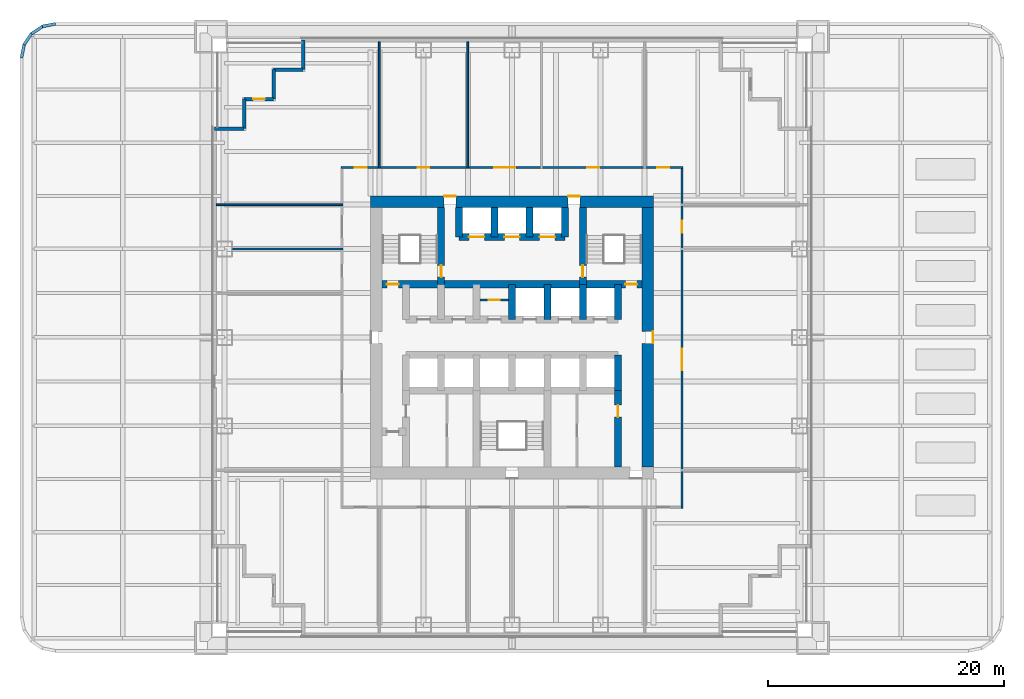
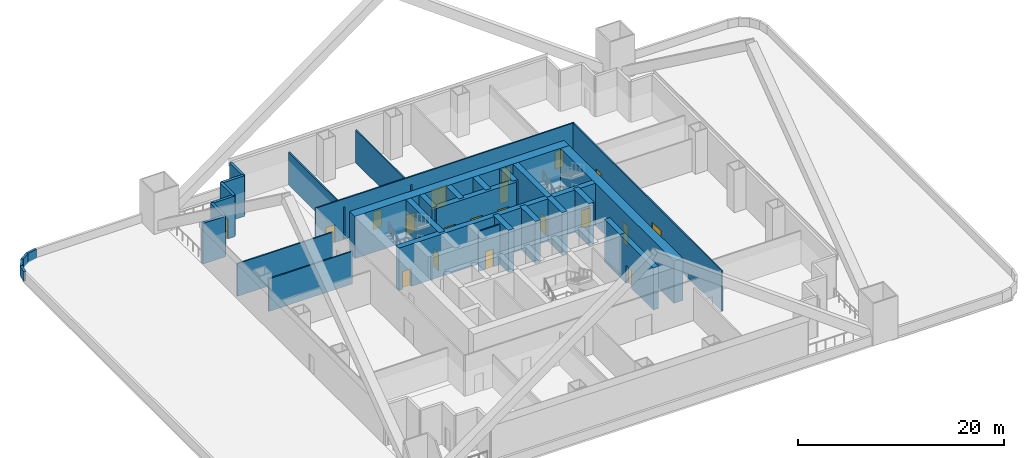
# One storey, part 6 of 10: 33 walls, 20 doors, 20 openings.
"""IFC4 building model written with IfcOpenShell, lengths in metres."""

from ifc_helpers import new_model, si_unit, direction, frame, frame_2d, origin, place, context, subcontext, project, spatial, rectangle, extrude, material, layer, layer_set, type_object, element, fill, save


model = new_model("IFC4")

# Units and contexts
model_context = context("Model", 3, precision=1e-05, world=origin(), true_north=direction((0.0, 1.0)))
body_context = subcontext(model_context, "Body", "Model", "MODEL_VIEW")
ifc_project = project(units=[si_unit("LENGTHUNIT", "METRE"), si_unit("AREAUNIT", "SQUARE_METRE"), si_unit("VOLUMEUNIT", "CUBIC_METRE"), si_unit("PLANEANGLEUNIT", "RADIAN"), si_unit("MASSUNIT", "GRAM", prefix="KILO")], contexts=[model_context])

# Site, building, storey
site_placement = place(None, origin())
site = spatial("IfcSite", under=ifc_project, at=site_placement, CompositionType="ELEMENT")
building_placement = place(site_placement, origin())
building = spatial("IfcBuilding", under=site, at=building_placement, Name="Tarangal Relay Tower", CompositionType="ELEMENT")
storey_placement = place(building_placement, frame((0.0, 0.0, 23.39990234375)))
storey = spatial("IfcBuildingStorey", under=building, at=storey_placement, Name="L04", CompositionType="ELEMENT", Elevation=23.39990234375)

# Wall, openings, doors
ifc_material_1 = material(Name="Concrete fc' 60 MPa", Category="concrete")
ifc_layer_1 = layer(ifc_material_1, 0.60009765625)
ifc_layer_set_1 = layer_set([ifc_layer_1], Name="Core inner wall 600")
wall_type_1 = type_object("IfcWallType", Name="Core inner wall 600", PredefinedType="SHEAR", material=ifc_layer_set_1)
wall_1_placement = place(storey_placement, frame((-11.0, 4.5, 0.0), z_axis=(0.0, 0.0, 1.0), x_axis=(1.0, 0.0, 0.0)))
wall_1 = element("IfcWall", 1, at=wall_1_placement, inside=storey, type_object=wall_type_1, Name="Core wall Y45 L04", PredefinedType="SHEAR", context=body_context, shape_type="SweptSolid", body=[
    extrude(rectangle(XDim=22.0, YDim=0.60009765625, at=frame_2d((11.0, 0.0))), origin(), (0.0, 0.0, 1.0), 5.0),
])
opening_1_placement = place(wall_1_placement, frame((0.39990234375, 0.0, 0.0)))
opening_1 = element("IfcOpeningElement", 2, at=opening_1_placement, cuts=wall_1, Name="Opening FD1", PredefinedType="OPENING", context=body_context, shape_type="SweptSolid", body=[
    extrude(rectangle(XDim=1.0, YDim=2.10009765625, at=frame_2d((0.5, 1.050048828125))), frame((0.0, 0.31005859375, 0.0), z_axis=(0.0, -1.0, 0.0), x_axis=(1.0, 0.0, 0.0)), (0.0, 0.0, 1.0), 0.6201171875),
])
opening_2_placement = place(wall_1_placement, frame((20.60009765625, 0.0, 0.0)))
opening_2 = element("IfcOpeningElement", 3, at=opening_2_placement, cuts=wall_1, Name="Opening FD1", PredefinedType="OPENING", context=body_context, shape_type="SweptSolid", body=[
    extrude(rectangle(XDim=1.0, YDim=2.10009765625, at=frame_2d((0.5, 1.050048828125))), frame((0.0, 0.31005859375, 0.0), z_axis=(0.0, -1.0, 0.0), x_axis=(1.0, 0.0, 0.0)), (0.0, 0.0, 1.0), 0.6201171875),
])
ifc_material_2 = material(Name="Steel door with hardwood frame", Category="steel")
door_type_1 = type_object("IfcDoorType", Name="Fire door 1000 x 2100", OperationType="SINGLE_SWING_LEFT", PredefinedType="DOOR", material=ifc_material_2)
door_1_placement = place(opening_1_placement, origin())
door_1 = element("IfcDoor", 4, at=door_1_placement, inside=storey, type_object=door_type_1, Name="Stair ST-A door from corridor L04", OperationType="SINGLE_SWING_LEFT", OverallHeight=2.10009765625, OverallWidth=1.0, PredefinedType="DOOR", context=body_context, shape_type="SweptSolid", body=[
    extrude(rectangle(XDim=1.0, YDim=2.10009765625, at=frame_2d((0.5, 1.050048828125))), frame((0.0, 0.02490234375, 0.0), z_axis=(0.0, -1.0, 0.0), x_axis=(1.0, 0.0, 0.0)), (0.0, 0.0, 1.0), 0.050048828125),
])
fill(opening_1, door_1)
door_2_placement = place(opening_2_placement, origin())
door_2 = element("IfcDoor", 5, at=door_2_placement, inside=storey, type_object=door_type_1, Name="Stair ST-B door from corridor L04", OperationType="SINGLE_SWING_LEFT", OverallHeight=2.10009765625, OverallWidth=1.0, PredefinedType="DOOR", context=body_context, shape_type="SweptSolid", body=[
    extrude(rectangle(XDim=1.0, YDim=2.10009765625, at=frame_2d((0.5, 1.050048828125))), frame((0.0, 0.02490234375, 0.0), z_axis=(0.0, -1.0, 0.0), x_axis=(1.0, 0.0, 0.0)), (0.0, 0.0, 1.0), 0.050048828125),
])
fill(opening_2, door_2)

wall_2_placement = place(storey_placement, frame((-4.5, 8.5, 0.0), z_axis=(0.0, 0.0, 1.0), x_axis=(1.0, 0.0, 0.0)))
wall_2 = element("IfcWall", 6, at=wall_2_placement, inside=storey, type_object=wall_type_1, Name="Core wall Y85 L04", PredefinedType="SHEAR", context=body_context, shape_type="SweptSolid", body=[
    extrude(rectangle(XDim=9.0, YDim=0.60009765625, at=frame_2d((4.5, 0.0))), origin(), (0.0, 0.0, 1.0), 5.0),
])
opening_3_placement = place(wall_2_placement, frame((0.85009765625, 0.0, 0.0)))
opening_3 = element("IfcOpeningElement", 7, at=opening_3_placement, cuts=wall_2, Name="Opening LD2", PredefinedType="OPENING", context=body_context, shape_type="SweptSolid", body=[
    extrude(rectangle(XDim=1.300048828125, YDim=2.39990234375, at=frame_2d((0.64990234375, 1.199951171875))), frame((0.0, 0.31005859375, 0.0), z_axis=(0.0, -1.0, 0.0), x_axis=(1.0, 0.0, 0.0)), (0.0, 0.0, 1.0), 0.6201171875),
])
opening_4_placement = place(wall_2_placement, frame((6.85009765625, 0.0, 0.0)))
opening_4 = element("IfcOpeningElement", 8, at=opening_4_placement, cuts=wall_2, Name="Opening LD2", PredefinedType="OPENING", context=body_context, shape_type="SweptSolid", body=[
    extrude(rectangle(XDim=1.300048828125, YDim=2.39990234375, at=frame_2d((0.64990234375, 1.199951171875))), frame((0.0, 0.31005859375, 0.0), z_axis=(0.0, -1.0, 0.0), x_axis=(1.0, 0.0, 0.0)), (0.0, 0.0, 1.0), 0.6201171875),
])
opening_5_placement = place(wall_2_placement, frame((3.85009765625, 0.0, 0.0)))
opening_5 = element("IfcOpeningElement", 9, at=opening_5_placement, cuts=wall_2, Name="Opening LD2", PredefinedType="OPENING", context=body_context, shape_type="SweptSolid", body=[
    extrude(rectangle(XDim=1.300048828125, YDim=2.39990234375, at=frame_2d((0.64990234375, 1.199951171875))), frame((0.0, 0.31005859375, 0.0), z_axis=(0.0, -1.0, 0.0), x_axis=(1.0, 0.0, 0.0)), (0.0, 0.0, 1.0), 0.6201171875),
])
door_type_2 = type_object("IfcDoorType", Name="Lift landing door 1300 x 2400", OperationType="SLIDING_TO_LEFT", PredefinedType="DOOR", material=ifc_material_2)
door_3_placement = place(opening_3_placement, origin())
door_3 = element("IfcDoor", 10, at=door_3_placement, inside=storey, type_object=door_type_2, Name="Lift FF1 landing door L04", OperationType="SLIDING_TO_LEFT", OverallHeight=2.39990234375, OverallWidth=1.300048828125, PredefinedType="DOOR", context=body_context, shape_type="SweptSolid", body=[
    extrude(rectangle(XDim=1.300048828125, YDim=2.39990234375, at=frame_2d((0.64990234375, 1.199951171875))), frame((0.0, 0.02490234375, 0.0), z_axis=(0.0, -1.0, 0.0), x_axis=(1.0, 0.0, 0.0)), (0.0, 0.0, 1.0), 0.050048828125),
])
fill(opening_3, door_3)
door_4_placement = place(opening_4_placement, origin())
door_4 = element("IfcDoor", 11, at=door_4_placement, inside=storey, type_object=door_type_2, Name="Lift FF2 landing door L04", OperationType="SLIDING_TO_LEFT", OverallHeight=2.39990234375, OverallWidth=1.300048828125, PredefinedType="DOOR", context=body_context, shape_type="SweptSolid", body=[
    extrude(rectangle(XDim=1.300048828125, YDim=2.39990234375, at=frame_2d((0.64990234375, 1.199951171875))), frame((0.0, 0.02490234375, 0.0), z_axis=(0.0, -1.0, 0.0), x_axis=(1.0, 0.0, 0.0)), (0.0, 0.0, 1.0), 0.050048828125),
])
fill(opening_4, door_4)
door_5_placement = place(opening_5_placement, origin())
door_5 = element("IfcDoor", 12, at=door_5_placement, inside=storey, type_object=door_type_2, Name="Lift SV1 landing door L04", OperationType="SLIDING_TO_LEFT", OverallHeight=2.39990234375, OverallWidth=1.300048828125, PredefinedType="DOOR", context=body_context, shape_type="SweptSolid", body=[
    extrude(rectangle(XDim=1.300048828125, YDim=2.39990234375, at=frame_2d((0.64990234375, 1.199951171875))), frame((0.0, 0.02490234375, 0.0), z_axis=(0.0, -1.0, 0.0), x_axis=(1.0, 0.0, 0.0)), (0.0, 0.0, 1.0), 0.050048828125),
])
fill(opening_5, door_5)

# Walls
for number, where, z_axis, x_axis, name in (
    (13, (9.0, 1.5, 0.0), (0.0, 0.0, 1.0), (0.0, 1.0, 0.0), "Core wall X9N L04"),
    (14, (9.0, -4.5, 0.0), (0.0, 0.0, 1.0), (0.0, 1.0, 0.0), "Core wall X9S L04"),
    (15, (0.0, 1.5, 0.0), (0.0, 0.0, 1.0), (0.0, 1.0, 0.0), "Core wall X0N L04"),
    (16, (3.0, 1.5, 0.0), (0.0, 0.0, 1.0), (0.0, 1.0, 0.0), "Core wall X3N L04"),
    (17, (6.0, 1.5, 0.0), (0.0, 0.0, 1.0), (0.0, 1.0, 0.0), "Core wall X6N L04"),
):
    element("IfcWall", number, at=place(storey_placement, frame(where, z_axis=z_axis, x_axis=x_axis)), inside=storey, type_object=wall_type_1, Name=name, PredefinedType="SHEAR", context=body_context, shape_type="SweptSolid", body=[
        extrude(rectangle(XDim=3.0, YDim=0.60009765625, at=frame_2d((1.5, 0.0))), origin(), (0.0, 0.0, 1.0), 5.0),
    ])

# Wall, opening, door
wall_3_placement = place(storey_placement, frame((-6.0, 4.5, 0.0), z_axis=(0.0, 0.0, 1.0), x_axis=(0.0, 1.0, 0.0)))
wall_3 = element("IfcWall", 18, at=wall_3_placement, inside=storey, type_object=wall_type_1, Name="Core wall XM6 L04", PredefinedType="SHEAR", context=body_context, shape_type="SweptSolid", body=[
    extrude(rectangle(XDim=6.5, YDim=0.60009765625, at=frame_2d((3.25, 0.0))), origin(), (0.0, 0.0, 1.0), 5.0),
])
opening_6_placement = place(wall_3_placement, frame((0.60009765625, 0.0, 0.0)))
opening_6 = element("IfcOpeningElement", 19, at=opening_6_placement, cuts=wall_3, Name="Opening FD1", PredefinedType="OPENING", context=body_context, shape_type="SweptSolid", body=[
    extrude(rectangle(XDim=1.0, YDim=2.10009765625, at=frame_2d((0.5, 1.050048828125))), frame((0.0, 0.31005859375, 0.0), z_axis=(0.0, -1.0, 0.0), x_axis=(1.0, 0.0, 0.0)), (0.0, 0.0, 1.0), 0.6201171875),
])
door_6_placement = place(opening_6_placement, origin())
door_6 = element("IfcDoor", 20, at=door_6_placement, inside=storey, type_object=door_type_1, Name="Stair ST-A door from fire-fighting lobby L04", OperationType="SINGLE_SWING_LEFT", OverallHeight=2.10009765625, OverallWidth=1.0, PredefinedType="DOOR", context=body_context, shape_type="SweptSolid", body=[
    extrude(rectangle(XDim=1.0, YDim=2.10009765625, at=frame_2d((0.5, 1.050048828125))), frame((0.0, 0.02490234375, 0.0), z_axis=(0.0, -1.0, 0.0), x_axis=(1.0, 0.0, 0.0)), (0.0, 0.0, 1.0), 0.050048828125),
])
fill(opening_6, door_6)

wall_4_placement = place(storey_placement, frame((6.0, 4.5, 0.0), z_axis=(0.0, 0.0, 1.0), x_axis=(0.0, 1.0, 0.0)))
wall_4 = element("IfcWall", 21, at=wall_4_placement, inside=storey, type_object=wall_type_1, Name="Core wall X6 L04", PredefinedType="SHEAR", context=body_context, shape_type="SweptSolid", body=[
    extrude(rectangle(XDim=6.5, YDim=0.60009765625, at=frame_2d((3.25, 0.0))), origin(), (0.0, 0.0, 1.0), 5.0),
])
opening_7_placement = place(wall_4_placement, frame((0.60009765625, 0.0, 0.0)))
opening_7 = element("IfcOpeningElement", 22, at=opening_7_placement, cuts=wall_4, Name="Opening FD1", PredefinedType="OPENING", context=body_context, shape_type="SweptSolid", body=[
    extrude(rectangle(XDim=1.0, YDim=2.10009765625, at=frame_2d((0.5, 1.050048828125))), frame((0.0, 0.31005859375, 0.0), z_axis=(0.0, -1.0, 0.0), x_axis=(1.0, 0.0, 0.0)), (0.0, 0.0, 1.0), 0.6201171875),
])
door_7_placement = place(opening_7_placement, origin())
door_7 = element("IfcDoor", 23, at=door_7_placement, inside=storey, type_object=door_type_1, Name="Stair ST-B door from fire-fighting lobby L04", OperationType="SINGLE_SWING_LEFT", OverallHeight=2.10009765625, OverallWidth=1.0, PredefinedType="DOOR", context=body_context, shape_type="SweptSolid", body=[
    extrude(rectangle(XDim=1.0, YDim=2.10009765625, at=frame_2d((0.5, 1.050048828125))), frame((0.0, 0.02490234375, 0.0), z_axis=(0.0, -1.0, 0.0), x_axis=(1.0, 0.0, 0.0)), (0.0, 0.0, 1.0), 0.050048828125),
])
fill(opening_7, door_7)

# Walls
for number, where, z_axis, x_axis, name in (
    (24, (-4.5, 8.5, 0.0), (0.0, 0.0, 1.0), (0.0, 1.0, 0.0), "Core wall XM45 L04"),
    (25, (4.5, 8.5, 0.0), (0.0, 0.0, 1.0), (0.0, 1.0, 0.0), "Core wall X45 L04"),
    (26, (-1.5, 8.5, 0.0), (0.0, 0.0, 1.0), (0.0, 1.0, 0.0), "Core wall XM15 L04"),
    (27, (1.5, 8.5, 0.0), (0.0, 0.0, 1.0), (0.0, 1.0, 0.0), "Core wall X15 L04"),
):
    element("IfcWall", number, at=place(storey_placement, frame(where, z_axis=z_axis, x_axis=x_axis)), inside=storey, type_object=wall_type_1, Name=name, PredefinedType="SHEAR", context=body_context, shape_type="SweptSolid", body=[
        extrude(rectangle(XDim=2.5, YDim=0.60009765625, at=frame_2d((1.25, 0.0))), origin(), (0.0, 0.0, 1.0), 5.0),
    ])

# Wall, opening, door
wall_5_placement = place(storey_placement, frame((9.0, -11.0, 0.0), z_axis=(0.0, 0.0, 1.0), x_axis=(0.0, 1.0, 0.0)))
wall_5 = element("IfcWall", 28, at=wall_5_placement, inside=storey, type_object=wall_type_1, Name="Core wall X9W L04", PredefinedType="SHEAR", context=body_context, shape_type="SweptSolid", body=[
    extrude(rectangle(XDim=6.5, YDim=0.60009765625, at=frame_2d((3.25, 0.0))), origin(), (0.0, 0.0, 1.0), 5.0),
])
opening_8_placement = place(wall_5_placement, frame((4.25, 0.0, 0.0)))
opening_8 = element("IfcOpeningElement", 29, at=opening_8_placement, cuts=wall_5, Name="Opening D1", PredefinedType="OPENING", context=body_context, shape_type="SweptSolid", body=[
    extrude(rectangle(XDim=1.0, YDim=2.10009765625, at=frame_2d((0.5, 1.050048828125))), frame((0.0, 0.31005859375, 0.0), z_axis=(0.0, -1.0, 0.0), x_axis=(1.0, 0.0, 0.0)), (0.0, 0.0, 1.0), 0.6201171875),
])
ifc_material_3 = material(Name="Hardwood door", Category="wood")
door_type_3 = type_object("IfcDoorType", Name="WC door 1000 x 2100", OperationType="SINGLE_SWING_LEFT", PredefinedType="DOOR", material=ifc_material_3)
door_8_placement = place(opening_8_placement, origin())
door_8 = element("IfcDoor", 30, at=door_8_placement, inside=storey, type_object=door_type_3, Name="Female WC door L04", OperationType="SINGLE_SWING_LEFT", OverallHeight=2.10009765625, OverallWidth=1.0, PredefinedType="DOOR", context=body_context, shape_type="SweptSolid", body=[
    extrude(rectangle(XDim=1.0, YDim=2.10009765625, at=frame_2d((0.5, 1.050048828125))), frame((0.0, 0.02490234375, 0.0), z_axis=(0.0, -1.0, 0.0), x_axis=(1.0, 0.0, 0.0)), (0.0, 0.0, 1.0), 0.050048828125),
])
fill(opening_8, door_8)

# Wall, openings, doors
ifc_layer_2 = layer(ifc_material_1, 1.0)
ifc_layer_set_2 = layer_set([ifc_layer_2], Name="Core wall 1000")
wall_type_2 = type_object("IfcWallType", Name="Core wall 1000", PredefinedType="SHEAR", material=ifc_layer_set_2)
wall_6_placement = place(storey_placement, frame((-12.0, 11.5, 0.0), z_axis=(0.0, 0.0, 1.0), x_axis=(1.0, 0.0, 0.0)))
wall_6 = element("IfcWall", 31, at=wall_6_placement, inside=storey, type_object=wall_type_2, Name="Core wall N L04", PredefinedType="SHEAR", context=body_context, shape_type="SweptSolid", body=[
    extrude(rectangle(XDim=24.0, YDim=1.0, at=frame_2d((12.0, 0.0))), origin(), (0.0, 0.0, 1.0), 5.0),
])
opening_9_placement = place(wall_6_placement, frame((6.25, 0.0, 0.0)))
opening_9 = element("IfcOpeningElement", 32, at=opening_9_placement, cuts=wall_6, Name="Opening FD3", PredefinedType="OPENING", context=body_context, shape_type="SweptSolid", body=[
    extrude(rectangle(XDim=1.0, YDim=2.39990234375, at=frame_2d((0.5, 1.199951171875))), frame((0.0, 0.510009765625, 0.0), z_axis=(0.0, -1.0, 0.0), x_axis=(1.0, 0.0, 0.0)), (0.0, 0.0, 1.0), 1.02001953125),
])
opening_10_placement = place(wall_6_placement, frame((16.75, 0.0, 0.0)))
opening_10 = element("IfcOpeningElement", 33, at=opening_10_placement, cuts=wall_6, Name="Opening FD3", PredefinedType="OPENING", context=body_context, shape_type="SweptSolid", body=[
    extrude(rectangle(XDim=1.0, YDim=2.39990234375, at=frame_2d((0.5, 1.199951171875))), frame((0.0, 0.510009765625, 0.0), z_axis=(0.0, -1.0, 0.0), x_axis=(1.0, 0.0, 0.0)), (0.0, 0.0, 1.0), 1.02001953125),
])
door_type_4 = type_object("IfcDoorType", Name="Fire door 1000 x 2400 core entry", OperationType="SINGLE_SWING_RIGHT", PredefinedType="DOOR", material=ifc_material_2)
door_9_placement = place(opening_9_placement, origin())
door_9 = element("IfcDoor", 34, at=door_9_placement, inside=storey, type_object=door_type_4, Name="Core entry door north west L04", OperationType="SINGLE_SWING_RIGHT", OverallHeight=2.39990234375, OverallWidth=1.0, PredefinedType="DOOR", context=body_context, shape_type="SweptSolid", body=[
    extrude(rectangle(XDim=1.0, YDim=2.39990234375, at=frame_2d((0.5, 1.199951171875))), frame((0.0, 0.48486328125, 0.0), z_axis=(0.0, -1.0, 0.0), x_axis=(1.0, 0.0, 0.0)), (0.0, 0.0, 1.0), 0.050048828125),
])
fill(opening_9, door_9)
door_10_placement = place(opening_10_placement, origin())
door_10 = element("IfcDoor", 35, at=door_10_placement, inside=storey, type_object=door_type_4, Name="Core entry door north east L04", OperationType="SINGLE_SWING_RIGHT", OverallHeight=2.39990234375, OverallWidth=1.0, PredefinedType="DOOR", context=body_context, shape_type="SweptSolid", body=[
    extrude(rectangle(XDim=1.0, YDim=2.39990234375, at=frame_2d((0.5, 1.199951171875))), frame((0.0, 0.48486328125, 0.0), z_axis=(0.0, -1.0, 0.0), x_axis=(1.0, 0.0, 0.0)), (0.0, 0.0, 1.0), 0.050048828125),
])
fill(opening_10, door_10)

# Wall, opening, door
wall_7_placement = place(storey_placement, frame((11.5, 11.0, 0.0), z_axis=(0.0, 0.0, 1.0), x_axis=(0.0, -1.0, 0.0)))
wall_7 = element("IfcWall", 36, at=wall_7_placement, inside=storey, type_object=wall_type_2, Name="Core wall E L04", PredefinedType="SHEAR", context=body_context, shape_type="SweptSolid", body=[
    extrude(rectangle(XDim=22.0, YDim=1.0, at=frame_2d((11.0, 0.0))), origin(), (0.0, 0.0, 1.0), 5.0),
])
opening_11_placement = place(wall_7_placement, frame((10.5, 0.0, 0.0)))
opening_11 = element("IfcOpeningElement", 37, at=opening_11_placement, cuts=wall_7, Name="Opening FD3", PredefinedType="OPENING", context=body_context, shape_type="SweptSolid", body=[
    extrude(rectangle(XDim=1.0, YDim=2.39990234375, at=frame_2d((0.5, 1.199951171875))), frame((0.0, 0.510009765625, 0.0), z_axis=(0.0, -1.0, 0.0), x_axis=(1.0, 0.0, 0.0)), (0.0, 0.0, 1.0), 1.02001953125),
])
door_11_placement = place(opening_11_placement, origin())
door_11 = element("IfcDoor", 38, at=door_11_placement, inside=storey, type_object=door_type_4, Name="Core entry door east L04", OperationType="SINGLE_SWING_RIGHT", OverallHeight=2.39990234375, OverallWidth=1.0, PredefinedType="DOOR", context=body_context, shape_type="SweptSolid", body=[
    extrude(rectangle(XDim=1.0, YDim=2.39990234375, at=frame_2d((0.5, 1.199951171875))), frame((0.0, 0.48486328125, 0.0), z_axis=(0.0, -1.0, 0.0), x_axis=(1.0, 0.0, 0.0)), (0.0, 0.0, 1.0), 0.050048828125),
])
fill(opening_11, door_11)

# Walls
ifc_material_4 = material(Name="Insulated precast concrete fc' 40 MPa", Category="concrete")
ifc_layer_3 = layer(ifc_material_4, 0.300048828125)
ifc_layer_set_3 = layer_set([ifc_layer_3], Name="Insulated precast concrete fc' 40 MPa")
wall_type_3 = type_object("IfcWallType", Name="Facade wall precast 300", PredefinedType="SOLIDWALL", material=ifc_layer_set_3)
for number, where, z_axis, x_axis, name in (
    (39, (-25.199951171875, 17.699951171875, 0.0), (0.0, 0.0, 1.0), (1.0, 0.0, 0.0), "Facade wall W facade L04"),
    (40, (-22.699951171875, 17.699951171875, 0.0), (0.0, 0.0, 1.0), (0.0, 1.0, 0.0), "Facade wall W facade L04"),
):
    element("IfcWall", number, at=place(storey_placement, frame(where, z_axis=z_axis, x_axis=x_axis)), inside=storey, type_object=wall_type_3, Name=name, PredefinedType="SOLIDWALL", context=body_context, shape_type="SweptSolid", body=[
        extrude(rectangle(XDim=2.5, YDim=0.300048828125, at=frame_2d((1.25, 0.0))), origin(), (0.0, 0.0, 1.0), 4.800048828125),
    ])

# Wall, opening, door
wall_8_placement = place(storey_placement, frame((-22.699951171875, 20.199951171875, 0.0), z_axis=(0.0, 0.0, 1.0), x_axis=(1.0, 0.0, 0.0)))
wall_8 = element("IfcWall", 41, at=wall_8_placement, inside=storey, type_object=wall_type_3, Name="Facade wall W facade L04", PredefinedType="SOLIDWALL", context=body_context, shape_type="SweptSolid", body=[
    extrude(rectangle(XDim=2.5, YDim=0.300048828125, at=frame_2d((1.25, 0.0))), origin(), (0.0, 0.0, 1.0), 4.800048828125),
])
opening_12_placement = place(wall_8_placement, frame((0.75, 0.0, 0.0)))
opening_12 = element("IfcOpeningElement", 42, at=opening_12_placement, cuts=wall_8, Name="Opening TD1", PredefinedType="OPENING", context=body_context, shape_type="SweptSolid", body=[
    extrude(rectangle(XDim=1.0, YDim=2.39990234375, at=frame_2d((0.5, 1.199951171875))), frame((0.0, 0.159912109375, 0.0), z_axis=(0.0, -1.0, 0.0), x_axis=(1.0, 0.0, 0.0)), (0.0, 0.0, 1.0), 0.320068359375),
])
ifc_material_5 = material(Name="Aluminium glazed door", Category="aluminium")
door_type_5 = type_object("IfcDoorType", Name="Terrace door 1000 x 2400", OperationType="SINGLE_SWING_RIGHT", PredefinedType="DOOR", material=ifc_material_5)
door_12_placement = place(opening_12_placement, origin())
door_12 = element("IfcDoor", 43, at=door_12_placement, inside=storey, type_object=door_type_5, Name="Terrace door TD1 NW L04", OperationType="SINGLE_SWING_RIGHT", OverallHeight=2.39990234375, OverallWidth=1.0, PredefinedType="DOOR", context=body_context, shape_type="SweptSolid", body=[
    extrude(rectangle(XDim=1.0, YDim=2.39990234375, at=frame_2d((0.5, 1.199951171875))), frame((0.0, 0.02490234375, 0.0), z_axis=(0.0, -1.0, 0.0), x_axis=(1.0, 0.0, 0.0)), (0.0, 0.0, 1.0), 0.050048828125),
])
fill(opening_12, door_12)

# Walls
for number, where, z_axis, x_axis, name in (
    (44, (-20.199951171875, 20.199951171875, 0.0), (0.0, 0.0, 1.0), (0.0, 1.0, 0.0), "Facade wall W facade L04"),
    (45, (-20.199951171875, 22.699951171875, 0.0), (0.0, 0.0, 1.0), (1.0, 0.0, 0.0), "Facade wall W facade L04"),
    (46, (-17.699951171875, 22.699951171875, 0.0), (0.0, 0.0, 1.0), (0.0, 1.0, 0.0), "Facade wall W facade L04"),
):
    element("IfcWall", number, at=place(storey_placement, frame(where, z_axis=z_axis, x_axis=x_axis)), inside=storey, type_object=wall_type_3, Name=name, PredefinedType="SOLIDWALL", context=body_context, shape_type="SweptSolid", body=[
        extrude(rectangle(XDim=2.5, YDim=0.300048828125, at=frame_2d((1.25, 0.0))), origin(), (0.0, 0.0, 1.0), 4.800048828125),
    ])
ifc_material_6 = material(Name="Concrete parapet with metal coping", Category="concrete")
ifc_layer_4 = layer(ifc_material_6, 0.25)
ifc_layer_set_4 = layer_set([ifc_layer_4], Name="Parapet 250")
wall_type_4 = type_object("IfcWallType", Name="Parapet 250", PredefinedType="PARAPET", material=ifc_layer_set_4)
for number, where, z_axis, x_axis, name in (
    (47, (-38.699951171875, 26.574951171875, 0.0), (0.0, 0.0, 1.0), (-0.980806012976, -0.194986063374, 0.0), "Podium roof parapet PP1"),
    (48, (-39.80029296875, 26.356201171875, 0.0), (0.0, 0.0, 1.0), (-0.831413546623, -0.555654132075, 0.0), "Podium roof parapet PP1"),
    (49, (-40.73291015625, 25.73291015625, 0.0), (0.0, 0.0, 1.0), (-0.555654132075, -0.831413546623, 0.0), "Podium roof parapet PP1"),
    (50, (-41.356201171875, 24.80029296875, 0.0), (0.0, 0.0, 1.0), (-0.194986063374, -0.980806012976, 0.0), "Podium roof parapet PP1"),
):
    element("IfcWall", number, at=place(storey_placement, frame(where, z_axis=z_axis, x_axis=x_axis)), inside=storey, type_object=wall_type_4, Name=name, PredefinedType="PARAPET", context=body_context, shape_type="SweptSolid", body=[
        extrude(rectangle(XDim=1.121826171875, YDim=0.25, at=frame_2d((0.56103515625, 0.0))), origin(), (0.0, 0.0, 1.0), 1.10009765625),
    ])
ifc_material_7 = material(Name="Gypsum board on steel studs", Category="steel")
ifc_layer_5 = layer(ifc_material_7, 0.14990234375)
ifc_layer_set_5 = layer_set([ifc_layer_5], Name="Partition 150")
wall_type_5 = type_object("IfcWallType", Name="Partition 150", PredefinedType="PARTITIONING", material=ifc_layer_set_5)
wall_9_placement = place(storey_placement, frame((-23.68994140625, 7.5, 0.0), z_axis=(0.0, 0.0, 1.0), x_axis=(1.0, 0.0, 0.0)))
element("IfcWall", 51, at=wall_9_placement, inside=storey, type_object=wall_type_5, Name="Partition PT1 L04", PredefinedType="PARTITIONING", context=body_context, shape_type="SweptSolid", body=[
    extrude(rectangle(XDim=9.364990234375, YDim=0.14990234375, at=frame_2d((4.6826171875, 0.0))), origin(), (0.0, 0.0, 1.0), 3.852783203125),
])
wall_10_placement = place(storey_placement, frame((-25.050048828125, 11.25, 0.0), z_axis=(0.0, 0.0, 1.0), x_axis=(1.0, 0.0, 0.0)))
element("IfcWall", 52, at=wall_10_placement, inside=storey, type_object=wall_type_5, Name="Partition PT1 L04", PredefinedType="PARTITIONING", context=body_context, shape_type="SweptSolid", body=[
    extrude(rectangle(XDim=10.72509765625, YDim=0.14990234375, at=frame_2d((5.362548828125, 0.0))), origin(), (0.0, 0.0, 1.0), 3.852783203125),
])

# Wall, openings, doors
wall_11_placement = place(storey_placement, frame((-14.47509765625, 14.39990234375, 0.0), z_axis=(0.0, 0.0, 1.0), x_axis=(1.0, 0.0, 0.0)))
wall_11 = element("IfcWall", 53, at=wall_11_placement, inside=storey, type_object=wall_type_5, Name="Partition PT1 L04", PredefinedType="PARTITIONING", context=body_context, shape_type="SweptSolid", body=[
    extrude(rectangle(XDim=28.9501953125, YDim=0.14990234375, at=frame_2d((14.47509765625, 0.0))), origin(), (0.0, 0.0, 1.0), 4.800048828125),
])
opening_13_placement = place(wall_11_placement, frame((6.47509765625, 0.0, 0.0)))
opening_13 = element("IfcOpeningElement", 54, at=opening_13_placement, cuts=wall_11, Name="Opening D2", PredefinedType="OPENING", context=body_context, shape_type="SweptSolid", body=[
    extrude(rectangle(XDim=1.0, YDim=2.10009765625, at=frame_2d((0.5, 1.050048828125))), frame((0.0, 0.0849609375, 0.0), z_axis=(0.0, -1.0, 0.0), x_axis=(1.0, 0.0, 0.0)), (0.0, 0.0, 1.0), 0.169921875),
])
opening_14_placement = place(wall_11_placement, frame((12.949951171875, 0.0, 0.0)))
opening_14 = element("IfcOpeningElement", 55, at=opening_14_placement, cuts=wall_11, Name="Opening DD1", PredefinedType="OPENING", context=body_context, shape_type="SweptSolid", body=[
    extrude(rectangle(XDim=1.800048828125, YDim=2.39990234375, at=frame_2d((0.89990234375, 1.199951171875))), frame((0.0, 0.0849609375, 0.0), z_axis=(0.0, -1.0, 0.0), x_axis=(1.0, 0.0, 0.0)), (0.0, 0.0, 1.0), 0.169921875),
])
opening_15_placement = place(wall_11_placement, frame((20.85009765625, 0.0, 0.0)))
opening_15 = element("IfcOpeningElement", 56, at=opening_15_placement, cuts=wall_11, Name="Opening D2", PredefinedType="OPENING", context=body_context, shape_type="SweptSolid", body=[
    extrude(rectangle(XDim=1.0, YDim=2.10009765625, at=frame_2d((0.5, 1.050048828125))), frame((0.0, 0.0849609375, 0.0), z_axis=(0.0, -1.0, 0.0), x_axis=(1.0, 0.0, 0.0)), (0.0, 0.0, 1.0), 0.169921875),
])
opening_16_placement = place(wall_11_placement, frame((26.800048828125, 0.0, 0.0)))
opening_16 = element("IfcOpeningElement", 57, at=opening_16_placement, cuts=wall_11, Name="Opening D2", PredefinedType="OPENING", context=body_context, shape_type="SweptSolid", body=[
    extrude(rectangle(XDim=1.0, YDim=2.10009765625, at=frame_2d((0.5, 1.050048828125))), frame((0.0, 0.0849609375, 0.0), z_axis=(0.0, -1.0, 0.0), x_axis=(1.0, 0.0, 0.0)), (0.0, 0.0, 1.0), 0.169921875),
])
opening_17_placement = place(wall_11_placement, frame((1.14990234375, 0.0, 0.0)))
opening_17 = element("IfcOpeningElement", 58, at=opening_17_placement, cuts=wall_11, Name="Opening D2", PredefinedType="OPENING", context=body_context, shape_type="SweptSolid", body=[
    extrude(rectangle(XDim=1.0, YDim=2.10009765625, at=frame_2d((0.5, 1.050048828125))), frame((0.0, 0.0849609375, 0.0), z_axis=(0.0, -1.0, 0.0), x_axis=(1.0, 0.0, 0.0)), (0.0, 0.0, 1.0), 0.169921875),
])
door_type_6 = type_object("IfcDoorType", Name="Door 1000 x 2100", OperationType="SINGLE_SWING_LEFT", PredefinedType="DOOR", material=ifc_material_3)
door_13_placement = place(opening_13_placement, origin())
door_13 = element("IfcDoor", 59, at=door_13_placement, inside=storey, type_object=door_type_6, Name="Door D2 to secure store L04-02", OperationType="SINGLE_SWING_LEFT", OverallHeight=2.10009765625, OverallWidth=1.0, PredefinedType="DOOR", context=body_context, shape_type="SweptSolid", body=[
    extrude(rectangle(XDim=1.0, YDim=2.10009765625, at=frame_2d((0.5, 1.050048828125))), frame((0.0, 0.02490234375, 0.0), z_axis=(0.0, -1.0, 0.0), x_axis=(1.0, 0.0, 0.0)), (0.0, 0.0, 1.0), 0.050048828125),
])
fill(opening_13, door_13)
door_14_placement = place(opening_15_placement, origin())
door_14 = element("IfcDoor", 60, at=door_14_placement, inside=storey, type_object=door_type_6, Name="Door D2 to rack staging and build room L04-04", OperationType="SINGLE_SWING_LEFT", OverallHeight=2.10009765625, OverallWidth=1.0, PredefinedType="DOOR", context=body_context, shape_type="SweptSolid", body=[
    extrude(rectangle(XDim=1.0, YDim=2.10009765625, at=frame_2d((0.5, 1.050048828125))), frame((0.0, 0.02490234375, 0.0), z_axis=(0.0, -1.0, 0.0), x_axis=(1.0, 0.0, 0.0)), (0.0, 0.0, 1.0), 0.050048828125),
])
fill(opening_15, door_14)
door_15_placement = place(opening_16_placement, origin())
door_15 = element("IfcDoor", 61, at=door_15_placement, inside=storey, type_object=door_type_6, Name="Door D2 to engineering office L04-13", OperationType="SINGLE_SWING_LEFT", OverallHeight=2.10009765625, OverallWidth=1.0, PredefinedType="DOOR", context=body_context, shape_type="SweptSolid", body=[
    extrude(rectangle(XDim=1.0, YDim=2.10009765625, at=frame_2d((0.5, 1.050048828125))), frame((0.0, 0.02490234375, 0.0), z_axis=(0.0, -1.0, 0.0), x_axis=(1.0, 0.0, 0.0)), (0.0, 0.0, 1.0), 0.050048828125),
])
fill(opening_16, door_15)
door_16_placement = place(opening_17_placement, origin())
door_16 = element("IfcDoor", 62, at=door_16_placement, inside=storey, type_object=door_type_6, Name="Door D2 to network operations room L04-16", OperationType="SINGLE_SWING_LEFT", OverallHeight=2.10009765625, OverallWidth=1.0, PredefinedType="DOOR", context=body_context, shape_type="SweptSolid", body=[
    extrude(rectangle(XDim=1.0, YDim=2.10009765625, at=frame_2d((0.5, 1.050048828125))), frame((0.0, 0.02490234375, 0.0), z_axis=(0.0, -1.0, 0.0), x_axis=(1.0, 0.0, 0.0)), (0.0, 0.0, 1.0), 0.050048828125),
])
fill(opening_17, door_16)
door_type_7 = type_object("IfcDoorType", Name="Equipment double door 1800 x 2400", OperationType="DOUBLE_DOOR_SINGLE_SWING", PredefinedType="DOOR", material=ifc_material_2)
door_17_placement = place(opening_14_placement, origin())
door_17 = element("IfcDoor", 63, at=door_17_placement, inside=storey, type_object=door_type_7, Name="Door DD1 to meet-me room L04-03", OperationType="DOUBLE_DOOR_SINGLE_SWING", OverallHeight=2.39990234375, OverallWidth=1.800048828125, PredefinedType="DOOR", context=body_context, shape_type="SweptSolid", body=[
    extrude(rectangle(XDim=1.800048828125, YDim=2.39990234375, at=frame_2d((0.89990234375, 1.199951171875))), frame((0.0, 0.02490234375, 0.0), z_axis=(0.0, -1.0, 0.0), x_axis=(1.0, 0.0, 0.0)), (0.0, 0.0, 1.0), 0.050048828125),
])
fill(opening_14, door_17)

# Walls
for number, where, z_axis, x_axis, name in (
    (64, (-11.25, 14.324951171875, 0.0), (0.0, 0.0, 1.0), (0.0, 1.0, 0.0), "Partition PT1 L04"),
    (65, (-3.75, 14.324951171875, 0.0), (0.0, 0.0, 1.0), (0.0, 1.0, 0.0), "Partition PT1 L04"),
):
    element("IfcWall", number, at=place(storey_placement, frame(where, z_axis=z_axis, x_axis=x_axis)), inside=storey, type_object=wall_type_5, Name=name, PredefinedType="PARTITIONING", context=body_context, shape_type="SweptSolid", body=[
        extrude(rectangle(XDim=10.72509765625, YDim=0.14990234375, at=frame_2d((5.362548828125, 0.0))), origin(), (0.0, 0.0, 1.0), 3.852783203125),
    ])

# Wall, openings, doors
wall_12_placement = place(storey_placement, frame((14.39990234375, -14.47509765625, 0.0), z_axis=(0.0, 0.0, 1.0), x_axis=(0.0, 1.0, 0.0)))
wall_12 = element("IfcWall", 66, at=wall_12_placement, inside=storey, type_object=wall_type_5, Name="Partition PT1 L04", PredefinedType="PARTITIONING", context=body_context, shape_type="SweptSolid", body=[
    extrude(rectangle(XDim=28.9501953125, YDim=0.14990234375, at=frame_2d((14.47509765625, 0.0))), origin(), (0.0, 0.0, 1.0), 4.800048828125),
])
opening_18_placement = place(wall_12_placement, frame((23.35009765625, 0.0, 0.0)))
opening_18 = element("IfcOpeningElement", 67, at=opening_18_placement, cuts=wall_12, Name="Opening D2", PredefinedType="OPENING", context=body_context, shape_type="SweptSolid", body=[
    extrude(rectangle(XDim=1.0, YDim=2.10009765625, at=frame_2d((0.5, 1.050048828125))), frame((0.0, 0.0849609375, 0.0), z_axis=(0.0, -1.0, 0.0), x_axis=(1.0, 0.0, 0.0)), (0.0, 0.0, 1.0), 0.169921875),
])
opening_19_placement = place(wall_12_placement, frame((11.699951171875, 0.0, 0.0)))
opening_19 = element("IfcOpeningElement", 68, at=opening_19_placement, cuts=wall_12, Name="Opening DD1", PredefinedType="OPENING", context=body_context, shape_type="SweptSolid", body=[
    extrude(rectangle(XDim=1.800048828125, YDim=2.39990234375, at=frame_2d((0.89990234375, 1.199951171875))), frame((0.0, 0.0849609375, 0.0), z_axis=(0.0, -1.0, 0.0), x_axis=(1.0, 0.0, 0.0)), (0.0, 0.0, 1.0), 0.169921875),
])
door_18_placement = place(opening_18_placement, origin())
door_18 = element("IfcDoor", 69, at=door_18_placement, inside=storey, type_object=door_type_6, Name="Door D2 to customer build and test room L04-05", OperationType="SINGLE_SWING_LEFT", OverallHeight=2.10009765625, OverallWidth=1.0, PredefinedType="DOOR", context=body_context, shape_type="SweptSolid", body=[
    extrude(rectangle(XDim=1.0, YDim=2.10009765625, at=frame_2d((0.5, 1.050048828125))), frame((0.0, 0.02490234375, 0.0), z_axis=(0.0, -1.0, 0.0), x_axis=(1.0, 0.0, 0.0)), (0.0, 0.0, 1.0), 0.050048828125),
])
fill(opening_18, door_18)
door_19_placement = place(opening_19_placement, origin())
door_19 = element("IfcDoor", 70, at=door_19_placement, inside=storey, type_object=door_type_7, Name="Door DD1 to data hall L04-06", OperationType="DOUBLE_DOOR_SINGLE_SWING", OverallHeight=2.39990234375, OverallWidth=1.800048828125, PredefinedType="DOOR", context=body_context, shape_type="SweptSolid", body=[
    extrude(rectangle(XDim=1.800048828125, YDim=2.39990234375, at=frame_2d((0.89990234375, 1.199951171875))), frame((0.0, 0.02490234375, 0.0), z_axis=(0.0, -1.0, 0.0), x_axis=(1.0, 0.0, 0.0)), (0.0, 0.0, 1.0), 0.050048828125),
])
fill(opening_19, door_19)

# Wall, opening, door
wall_13_placement = place(storey_placement, frame((-2.699951171875, 3.175048828125, 0.0), z_axis=(0.0, 0.0, 1.0), x_axis=(1.0, 0.0, 0.0)))
wall_13 = element("IfcWall", 71, at=wall_13_placement, inside=storey, type_object=wall_type_5, Name="Partition PT1 L04", PredefinedType="PARTITIONING", context=body_context, shape_type="SweptSolid", body=[
    extrude(rectangle(XDim=2.39990234375, YDim=0.14990234375, at=frame_2d((1.199951171875, 0.0))), origin(), (0.0, 0.0, 1.0), 4.75),
])
opening_20_placement = place(wall_13_placement, frame((0.75, 0.0, 0.0)))
opening_20 = element("IfcOpeningElement", 72, at=opening_20_placement, cuts=wall_13, Name="Opening D5", PredefinedType="OPENING", context=body_context, shape_type="SweptSolid", body=[
    extrude(rectangle(XDim=0.89990234375, YDim=2.10009765625, at=frame_2d((0.449951171875, 1.050048828125))), frame((0.0, 0.0849609375, 0.0), z_axis=(0.0, -1.0, 0.0), x_axis=(1.0, 0.0, 0.0)), (0.0, 0.0, 1.0), 0.169921875),
])
door_type_8 = type_object("IfcDoorType", Name="Cupboard door 900 x 2100", OperationType="SINGLE_SWING_LEFT", PredefinedType="DOOR", material=ifc_material_3)
door_20_placement = place(opening_20_placement, origin())
door_20 = element("IfcDoor", 73, at=door_20_placement, inside=storey, type_object=door_type_8, Name="Door D5 to it patch cupboard L04-D3B", OperationType="SINGLE_SWING_LEFT", OverallHeight=2.10009765625, OverallWidth=0.89990234375, PredefinedType="DOOR", context=body_context, shape_type="SweptSolid", body=[
    extrude(rectangle(XDim=0.89990234375, YDim=2.10009765625, at=frame_2d((0.449951171875, 1.050048828125))), frame((0.0, 0.02490234375, 0.0), z_axis=(0.0, -1.0, 0.0), x_axis=(1.0, 0.0, 0.0)), (0.0, 0.0, 1.0), 0.050048828125),
])
fill(opening_20, door_20)

save(model, "model.ifc")
